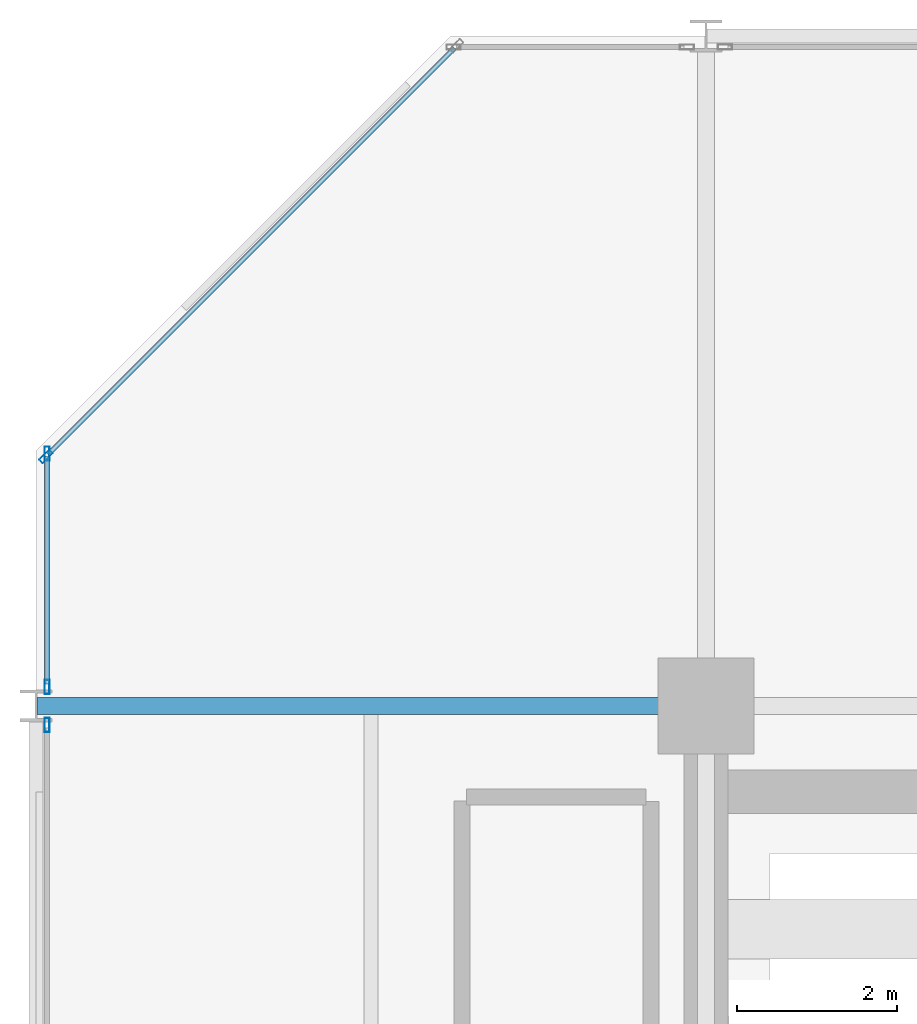
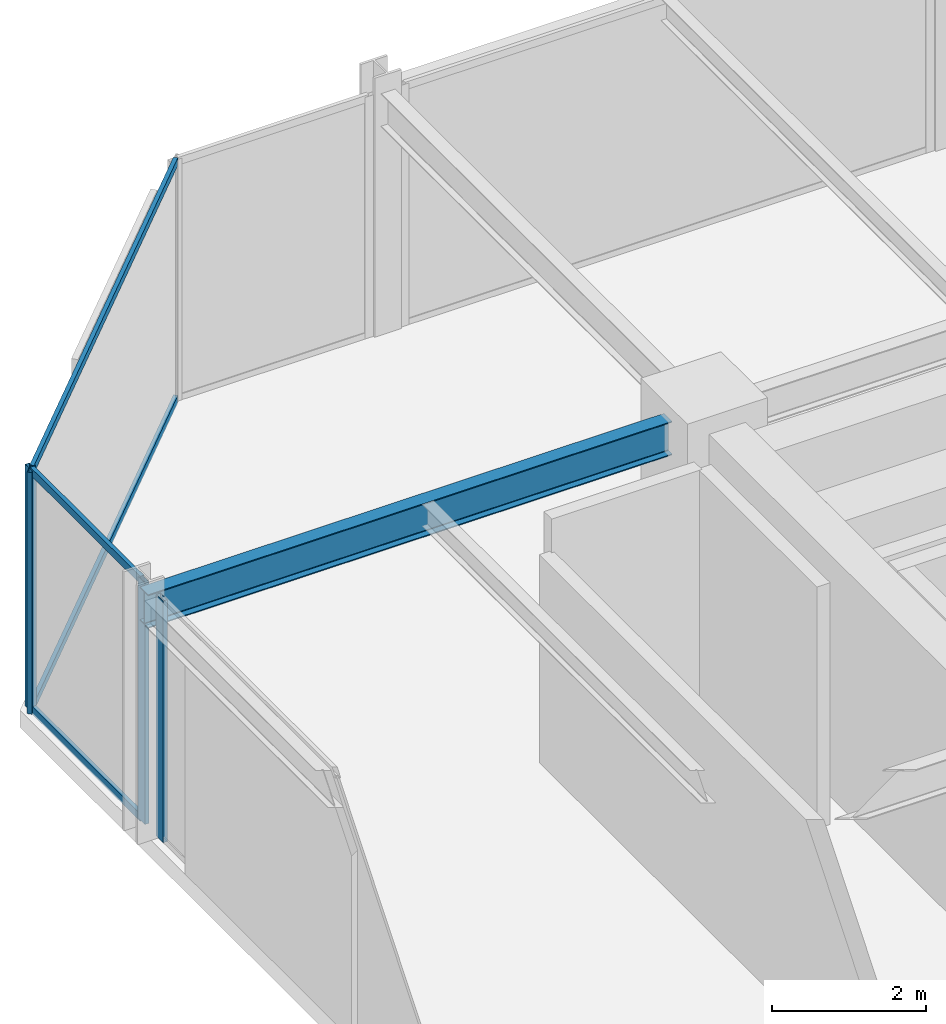
# One storey, part 18 of 29: 8 members, 1 beam, 3 elements without a shape of their own.
"""IFC4 building model written with IfcOpenShell, lengths in metres."""

from ifc_helpers import new_model, si_unit, direction, frame, origin, origin_2d, place, context, subcontext, project, spatial, hollow_rectangle, i_section, extrude, material, layer, layer_set, material_profile, profile_set, type_object, element, aggregate, save


model = new_model("IFC4")

# Units and contexts
model_context = context("Model", 3, precision=1e-05, world=origin(), true_north=direction((0.0, 1.0)))
body_context = subcontext(model_context, "Body", "Model", "MODEL_VIEW")
ifc_project = project(units=[si_unit("LENGTHUNIT", "METRE"), si_unit("AREAUNIT", "SQUARE_METRE"), si_unit("VOLUMEUNIT", "CUBIC_METRE"), si_unit("PLANEANGLEUNIT", "RADIAN"), si_unit("MASSUNIT", "GRAM", prefix="KILO")], contexts=[model_context])

# Site, building, storey
site_placement = place(None, origin())
site = spatial("IfcSite", under=ifc_project, at=site_placement, CompositionType="ELEMENT")
building_placement = place(site_placement, origin())
building = spatial("IfcBuilding", under=site, at=building_placement, Name="Nerrivon Quay Data Exchange", CompositionType="ELEMENT")
storey_placement = place(building_placement, frame((0.0, 0.0, 145.89990234375)))
storey = spatial("IfcBuildingStorey", under=building, at=storey_placement, Name="L34", CompositionType="ELEMENT", Elevation=145.89990234375)

# Beam
ifc_material_1 = material(Name="Steel Grade 350", Category="steel")
ifc_material_profile_1 = material_profile(ifc_material_1, i_section(OverallWidth=0.208984375, OverallDepth=0.532958984375, WebThickness=0.01025390625, FlangeThickness=0.015625, FilletRadius=0.013916015625, at=origin_2d()), Name="530UB92.4")
ifc_profile_set_1 = profile_set([ifc_material_profile_1], Name="Steel Grade 350")
beam_type = type_object("IfcBeamType", Name="BM-G3-530UB92", PredefinedType="BEAM", material=ifc_profile_set_1)
beam_placement = place(storey_placement, frame((0.012451171875, 42.0, 3.55859375), z_axis=(1.0, 0.0, 0.0), x_axis=(0.0, 1.0, 0.0)))
element("IfcBeam", 1, at=beam_placement, inside=storey, type_object=beam_type, Name="L34 EW Girder Y=42.0 (0.0..8.4)", PredefinedType="BEAM", context=body_context, shape_type="SweptSolid", body=[
    extrude(i_section(OverallWidth=0.208984375, OverallDepth=0.532958984375, WebThickness=0.01025390625, FlangeThickness=0.015625, FilletRadius=0.013916015625, at=origin_2d()), origin(), (0.0, 0.0, 1.0), 7.84765625),
])

# Curtain wall, member
ifc_material_2 = material(Name="Anodised aluminium 6063-T6", Category="aluminium")
ifc_layer = layer(ifc_material_2, 0.2099609375)
ifc_layer_set = layer_set([ifc_layer], Name="Anodised aluminium 6063-T6")
curtain_wall_type = type_object("IfcCurtainWallType", Name="CW-SYS-02", PredefinedType="NOTDEFINED", material=ifc_layer_set)
curtain_wall_1_placement = place(storey_placement, origin())
curtain_wall_1 = element("IfcCurtainWall", 2, at=curtain_wall_1_placement, inside=storey, type_object=curtain_wall_type, Name="L34 Unitised Curtain Wall 15", PredefinedType="NOTDEFINED")
ifc_material_profile_2 = material_profile(ifc_material_2, hollow_rectangle(XDim=0.06494140625, YDim=0.179931640625, WallThickness=0.00341796875, at=origin_2d()), Name="ALU-MULL-180x65")
ifc_profile_set_2 = profile_set([ifc_material_profile_2], Name="Anodised aluminium 6063-T6")
member_type_1 = type_object("IfcMemberType", Name="CWM-180x65", PredefinedType="MULLION", material=ifc_profile_set_2)
member_1_placement = place(storey_placement, frame((0.139892578125, 41.762451171875, 0.0), z_axis=(0.0, 0.0, 1.0), x_axis=(-1.0, 0.0, 0.0)))
member_1 = element("IfcMember", 3, at=member_1_placement, type_object=member_type_1, Name="CW02 mullion 2", PredefinedType="MULLION", context=body_context, shape_type="SweptSolid", body=[
    extrude(hollow_rectangle(XDim=0.06494140625, YDim=0.179931640625, WallThickness=0.00341796875, at=origin_2d()), origin(), (0.0, 0.0, 1.0), 3.8251953125),
])
aggregate(curtain_wall_1, [member_1])

# Curtain wall, members
curtain_wall_2_placement = place(storey_placement, origin())
curtain_wall_2 = element("IfcCurtainWall", 4, at=curtain_wall_2_placement, inside=storey, type_object=curtain_wall_type, Name="L34 Unitised Curtain Wall 16", PredefinedType="NOTDEFINED")
member_2_placement = place(storey_placement, frame((0.139892578125, 42.237548828125, 0.0), z_axis=(0.0, 0.0, 1.0), x_axis=(-1.0, 0.0, 0.0)))
member_2 = element("IfcMember", 5, at=member_2_placement, type_object=member_type_1, Name="CW02 mullion 1", PredefinedType="MULLION", context=body_context, shape_type="SweptSolid", body=[
    extrude(hollow_rectangle(XDim=0.06494140625, YDim=0.179931640625, WallThickness=0.00341796875, at=origin_2d()), origin(), (0.0, 0.0, 1.0), 3.8251953125),
])
member_3_placement = place(storey_placement, frame((0.139892578125, 45.16259765625, 0.0), z_axis=(0.0, 0.0, 1.0), x_axis=(-1.0, 0.0, 0.0)))
member_3 = element("IfcMember", 6, at=member_3_placement, type_object=member_type_1, Name="CW02 mullion 2", PredefinedType="MULLION", context=body_context, shape_type="SweptSolid", body=[
    extrude(hollow_rectangle(XDim=0.06494140625, YDim=0.179931640625, WallThickness=0.00341796875, at=origin_2d()), origin(), (0.0, 0.0, 1.0), 3.8251953125),
])

# Curtain wall, member
curtain_wall_3_placement = place(storey_placement, origin())
curtain_wall_3 = element("IfcCurtainWall", 7, at=curtain_wall_3_placement, inside=storey, type_object=curtain_wall_type, Name="L34 Unitised Curtain Wall 17", PredefinedType="NOTDEFINED")
member_4_placement = place(storey_placement, frame((0.12548828125, 45.12744140625, 0.0), z_axis=(0.0, 0.0, 1.0), x_axis=(-0.707106781187, 0.707106781187, 0.0)))
member_4 = element("IfcMember", 8, at=member_4_placement, type_object=member_type_1, Name="CW02 mullion 1", PredefinedType="MULLION", context=body_context, shape_type="SweptSolid", body=[
    extrude(hollow_rectangle(XDim=0.06494140625, YDim=0.179931640625, WallThickness=0.00341796875, at=origin_2d()), origin(), (0.0, 0.0, 1.0), 3.8251953125),
])

# Member
ifc_material_profile_3 = material_profile(ifc_material_2, hollow_rectangle(XDim=0.06005859375, YDim=0.1201171875, WallThickness=0.003173828125, at=origin_2d()), Name="ALU-TRAN-120x60")
ifc_profile_set_3 = profile_set([ifc_material_profile_3], Name="Anodised aluminium 6063-T6")
member_type_2 = type_object("IfcMemberType", Name="CWT-120x60", PredefinedType="USERDEFINED", material=ifc_profile_set_3)
member_5_placement = place(storey_placement, frame((0.139892578125, 42.27490234375, 0.03271484375), z_axis=(0.0, 1.0, 0.0), x_axis=(-1.0, 0.0, 0.0)))
member_5 = element("IfcMember", 9, at=member_5_placement, type_object=member_type_2, Name="CW02 transom 1.1", ObjectType="TRANSOM", PredefinedType="USERDEFINED", context=body_context, shape_type="SweptSolid", body=[
    extrude(hollow_rectangle(XDim=0.06005859375, YDim=0.1201171875, WallThickness=0.003173828125, at=origin_2d()), origin(), (0.0, 0.0, 1.0), 2.85009765625),
])

member_6_placement = place(storey_placement, frame((0.139892578125, 42.27490234375, 3.79248046875), z_axis=(0.0, 1.0, 0.0), x_axis=(-1.0, 0.0, 0.0)))
member_6 = element("IfcMember", 10, at=member_6_placement, type_object=member_type_2, Name="CW02 transom 1.2", ObjectType="TRANSOM", PredefinedType="USERDEFINED", context=body_context, shape_type="SweptSolid", body=[
    extrude(hollow_rectangle(XDim=0.06005859375, YDim=0.1201171875, WallThickness=0.003173828125, at=origin_2d()), origin(), (0.0, 0.0, 1.0), 2.85009765625),
])

aggregate(curtain_wall_2, [member_2, member_3, member_5, member_6])

member_7_placement = place(storey_placement, frame((0.152099609375, 45.154052734375, 0.03271484375), z_axis=(0.707089835771, 0.707123726196, 0.0), x_axis=(-0.707123726196, 0.707089835771, 0.0)))
member_7 = element("IfcMember", 11, at=member_7_placement, type_object=member_type_2, Name="CW02 transom 1.1", ObjectType="TRANSOM", PredefinedType="USERDEFINED", context=body_context, shape_type="SweptSolid", body=[
    extrude(hollow_rectangle(XDim=0.06005859375, YDim=0.1201171875, WallThickness=0.003173828125, at=origin_2d()), origin(), (0.0, 0.0, 1.0), 7.203857421875),
])

member_8_placement = place(storey_placement, frame((0.152099609375, 45.154052734375, 3.79248046875), z_axis=(0.707089835771, 0.707123726196, 0.0), x_axis=(-0.707123726196, 0.707089835771, 0.0)))
member_8 = element("IfcMember", 12, at=member_8_placement, type_object=member_type_2, Name="CW02 transom 1.2", ObjectType="TRANSOM", PredefinedType="USERDEFINED", context=body_context, shape_type="SweptSolid", body=[
    extrude(hollow_rectangle(XDim=0.06005859375, YDim=0.1201171875, WallThickness=0.003173828125, at=origin_2d()), origin(), (0.0, 0.0, 1.0), 7.203857421875),
])

aggregate(curtain_wall_3, [member_4, member_7, member_8])

save(model, "model.ifc")
